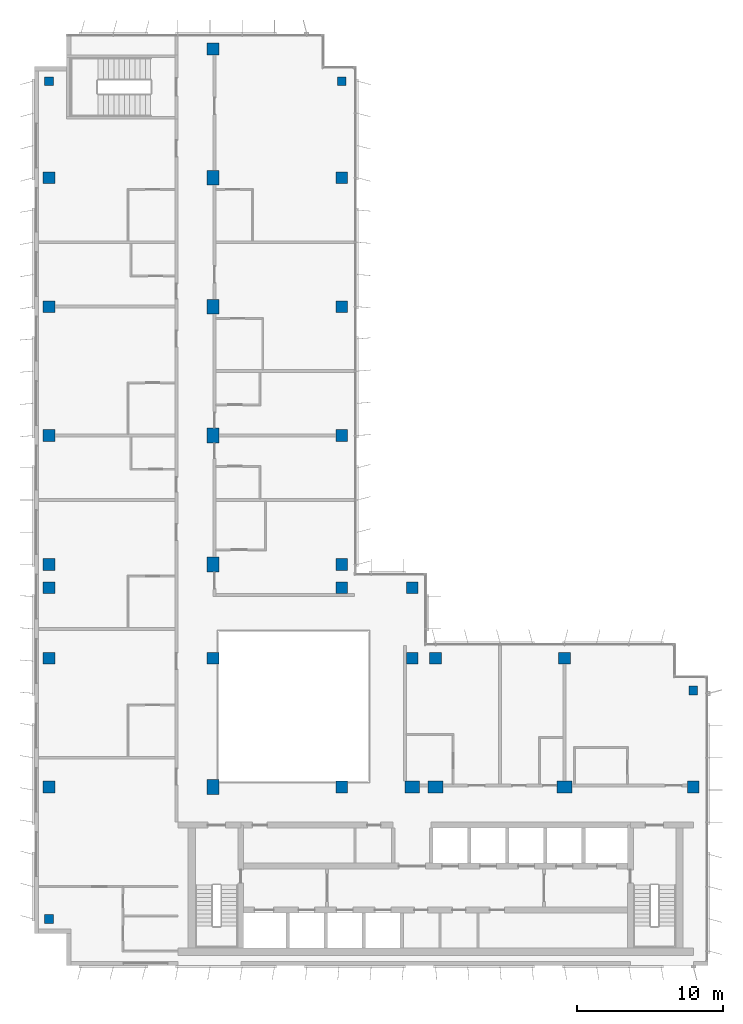
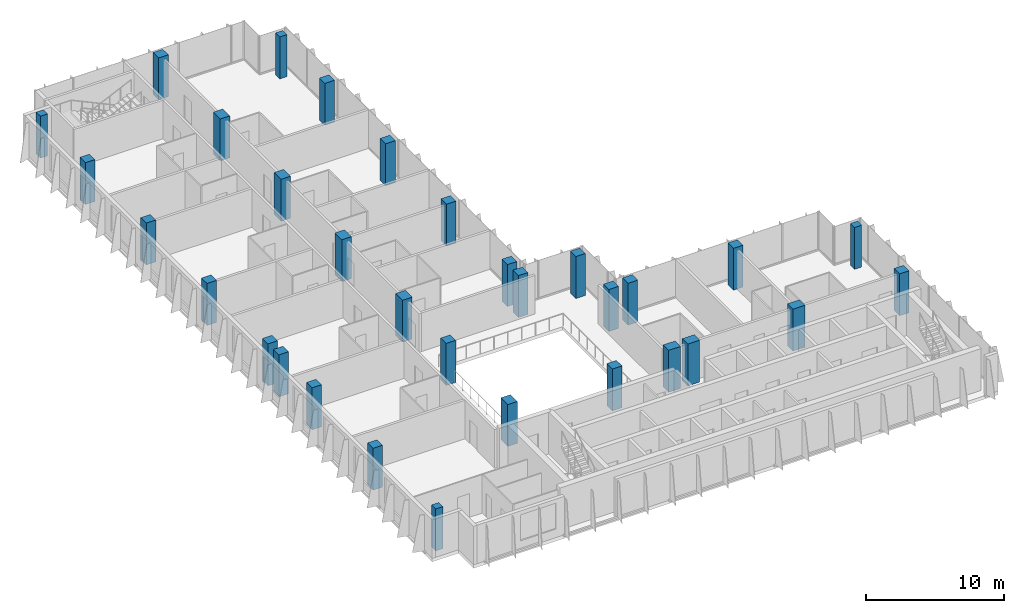
# One storey, part 1 of 16: 32 columns.
"""IFC4 building model written with IfcOpenShell, lengths in metres."""

from ifc_helpers import new_model, si_unit, direction, frame, origin, origin_2d, place, context, subcontext, project, spatial, rectangle, extrude, material, material_profile, profile_set, type_object, element, save


model = new_model("IFC4")

# Units and contexts
model_context = context("Model", 3, precision=1e-05, world=origin(), true_north=direction((0.0, 1.0)))
body_context = subcontext(model_context, "Body", "Model", "MODEL_VIEW")
ifc_project = project(units=[si_unit("LENGTHUNIT", "METRE"), si_unit("AREAUNIT", "SQUARE_METRE"), si_unit("VOLUMEUNIT", "CUBIC_METRE"), si_unit("PLANEANGLEUNIT", "RADIAN"), si_unit("MASSUNIT", "GRAM", prefix="KILO")], contexts=[model_context])

# Site, building, storey
site_placement = place(None, origin())
site = spatial("IfcSite", under=ifc_project, at=site_placement, CompositionType="ELEMENT")
building_placement = place(site_placement, origin())
building = spatial("IfcBuilding", under=site, at=building_placement, Name="Kemantara Hotel Tower", CompositionType="ELEMENT")
storey_placement = place(building_placement, frame((0.0, 0.0, 272.199951171875)))
storey = spatial("IfcBuildingStorey", under=building, at=storey_placement, Name="L68", CompositionType="ELEMENT", Elevation=272.199951171875)

# Columns
ifc_material = material(Name="Concrete fc 50 MPa", Category="concrete")
ifc_material_profile_1 = material_profile(ifc_material, rectangle(XDim=1.0, YDim=0.800048828125, at=origin_2d()), Name="RC 1000X800")
ifc_profile_set_1 = profile_set([ifc_material_profile_1], Name="Concrete fc 50 MPa")
column_type_1 = type_object("IfcColumnType", Name="RC COLUMN 1000X800 FC50", PredefinedType="COLUMN", material=ifc_profile_set_1)
for number, where, z_axis, x_axis, name in (
    (1, (12.199951171875, 12.199951171875, 0.0), (0.0, 0.0, 1.0), (0.0, 1.0, 0.0), "COLUMN 2A/BA L68"),
    (2, (12.199951171875, 27.39990234375, 0.0), (0.0, 0.0, 1.0), (0.0, 1.0, 0.0), "COLUMN 2A/D L68"),
    (3, (12.199951171875, 36.199951171875, 0.0), (0.0, 0.0, 1.0), (0.0, 1.0, 0.0), "COLUMN 2A/E L68"),
    (4, (12.199951171875, 45.0, 0.0), (0.0, 0.0, 1.0), (0.0, 1.0, 0.0), "COLUMN 2A/F L68"),
    (5, (12.199951171875, 53.800048828125, 0.0), (0.0, 0.0, 1.0), (0.0, 1.0, 0.0), "COLUMN 2A/G L68"),
    (6, (25.800048828125, 12.199951171875, 0.0), (0.0, 0.0, 1.0), (1.0, 0.0, 0.0), "COLUMN 3A/BA L68"),
    (7, (27.39990234375, 12.199951171875, 0.0), (0.0, 0.0, 1.0), (1.0, 0.0, 0.0), "COLUMN 4/BA L68"),
    (8, (36.199951171875, 12.199951171875, 0.0), (0.0, 0.0, 1.0), (1.0, 0.0, 0.0), "COLUMN 5/BA L68"),
):
    element("IfcColumn", number, at=place(storey_placement, frame(where, z_axis=z_axis, x_axis=x_axis)), inside=storey, type_object=column_type_1, Name=name, PredefinedType="COLUMN", context=body_context, shape_type="SweptSolid", body=[
        extrude(rectangle(XDim=1.0, YDim=0.800048828125, at=origin_2d()), origin(), (0.0, 0.0, 1.0), 3.699951171875),
    ])
ifc_material_profile_2 = material_profile(ifc_material, rectangle(XDim=0.60009765625, YDim=0.60009765625, at=origin_2d()), Name="RC 600X600")
ifc_profile_set_2 = profile_set([ifc_material_profile_2], Name="Concrete fc 50 MPa")
column_type_2 = type_object("IfcColumnType", Name="RC COLUMN 600X600 FC50", PredefinedType="COLUMN", material=ifc_profile_set_2)
for number, where, z_axis, x_axis, name in (
    (9, (1.0, 3.199951171875, 0.0), (0.0, 0.0, 1.0), (1.0, 0.0, 0.0), "COLUMN notch corner L68"),
    (10, (1.0, 60.39990234375, 0.0), (0.0, 0.0, 1.0), (1.0, 0.0, 0.0), "COLUMN notch corner L68"),
    (11, (21.0, 60.39990234375, 0.0), (0.0, 0.0, 1.0), (1.0, 0.0, 0.0), "COLUMN notch corner L68"),
    (12, (45.0, 18.800048828125, 0.0), (0.0, 0.0, 1.0), (1.0, 0.0, 0.0), "COLUMN notch corner L68"),
):
    element("IfcColumn", number, at=place(storey_placement, frame(where, z_axis=z_axis, x_axis=x_axis)), inside=storey, type_object=column_type_2, Name=name, PredefinedType="COLUMN", context=body_context, shape_type="SweptSolid", body=[
        extrude(rectangle(XDim=0.60009765625, YDim=0.60009765625, at=origin_2d()), origin(), (0.0, 0.0, 1.0), 3.699951171875),
    ])
ifc_material_profile_3 = material_profile(ifc_material, rectangle(XDim=0.800048828125, YDim=0.800048828125, at=origin_2d()), Name="RC 800X800")
ifc_profile_set_3 = profile_set([ifc_material_profile_3], Name="Concrete fc 50 MPa")
column_type_3 = type_object("IfcColumnType", Name="RC COLUMN 800X800 FC50", PredefinedType="COLUMN", material=ifc_profile_set_3)
for number, where, z_axis, x_axis, name in (
    (13, (1.0, 12.199951171875, 0.0), (0.0, 0.0, 1.0), (1.0, 0.0, 0.0), "COLUMN 1/BA L68"),
    (14, (1.0, 21.0, 0.0), (0.0, 0.0, 1.0), (1.0, 0.0, 0.0), "COLUMN 1/C L68"),
    (15, (1.0, 25.800048828125, 0.0), (0.0, 0.0, 1.0), (1.0, 0.0, 0.0), "COLUMN 1/CA L68"),
    (16, (1.0, 27.39990234375, 0.0), (0.0, 0.0, 1.0), (1.0, 0.0, 0.0), "COLUMN 1/D L68"),
    (17, (1.0, 36.199951171875, 0.0), (0.0, 0.0, 1.0), (1.0, 0.0, 0.0), "COLUMN 1/E L68"),
    (18, (1.0, 45.0, 0.0), (0.0, 0.0, 1.0), (1.0, 0.0, 0.0), "COLUMN 1/F L68"),
    (19, (1.0, 53.800048828125, 0.0), (0.0, 0.0, 1.0), (1.0, 0.0, 0.0), "COLUMN 1/G L68"),
    (20, (12.199951171875, 21.0, 0.0), (0.0, 0.0, 1.0), (1.0, 0.0, 0.0), "COLUMN 2A/C L68"),
    (21, (12.199951171875, 62.60009765625, 0.0), (0.0, 0.0, 1.0), (1.0, 0.0, 0.0), "COLUMN 2A/H L68"),
    (22, (21.0, 12.199951171875, 0.0), (0.0, 0.0, 1.0), (1.0, 0.0, 0.0), "COLUMN 3/BA L68"),
    (23, (21.0, 25.800048828125, 0.0), (0.0, 0.0, 1.0), (1.0, 0.0, 0.0), "COLUMN 3/CA L68"),
    (24, (21.0, 27.39990234375, 0.0), (0.0, 0.0, 1.0), (1.0, 0.0, 0.0), "COLUMN 3/D L68"),
    (25, (21.0, 36.199951171875, 0.0), (0.0, 0.0, 1.0), (1.0, 0.0, 0.0), "COLUMN 3/E L68"),
    (26, (21.0, 45.0, 0.0), (0.0, 0.0, 1.0), (1.0, 0.0, 0.0), "COLUMN 3/F L68"),
    (27, (21.0, 53.800048828125, 0.0), (0.0, 0.0, 1.0), (1.0, 0.0, 0.0), "COLUMN 3/G L68"),
    (28, (25.800048828125, 21.0, 0.0), (0.0, 0.0, 1.0), (1.0, 0.0, 0.0), "COLUMN 3A/C L68"),
    (29, (25.800048828125, 25.800048828125, 0.0), (0.0, 0.0, 1.0), (1.0, 0.0, 0.0), "COLUMN 3A/CA L68"),
    (30, (27.39990234375, 21.0, 0.0), (0.0, 0.0, 1.0), (1.0, 0.0, 0.0), "COLUMN 4/C L68"),
    (31, (36.199951171875, 21.0, 0.0), (0.0, 0.0, 1.0), (1.0, 0.0, 0.0), "COLUMN 5/C L68"),
    (32, (45.0, 12.199951171875, 0.0), (0.0, 0.0, 1.0), (1.0, 0.0, 0.0), "COLUMN 6/BA L68"),
):
    element("IfcColumn", number, at=place(storey_placement, frame(where, z_axis=z_axis, x_axis=x_axis)), inside=storey, type_object=column_type_3, Name=name, PredefinedType="COLUMN", context=body_context, shape_type="SweptSolid", body=[
        extrude(rectangle(XDim=0.800048828125, YDim=0.800048828125, at=origin_2d()), origin(), (0.0, 0.0, 1.0), 3.699951171875),
    ])

save(model, "model.ifc")
